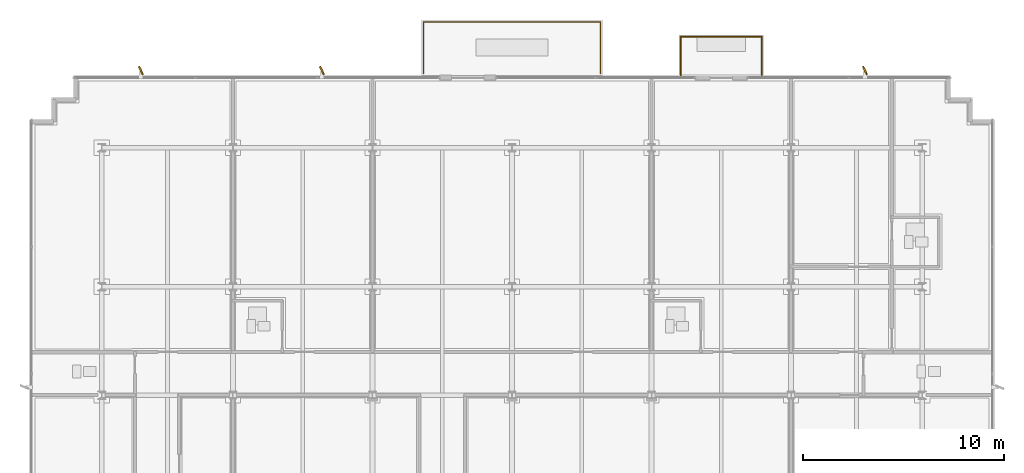
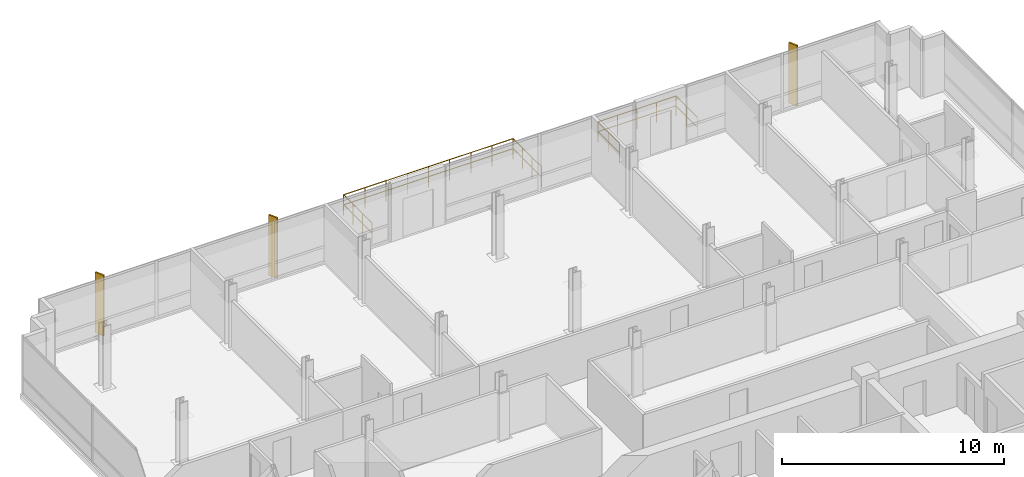
# One storey, part 18 of 19: 6 railings, 3 shading devices.
"""IFC4 building model written with IfcOpenShell, lengths in metres."""

from ifc_helpers import new_model, si_unit, direction, frame, origin, origin_2d, place, context, subcontext, project, spatial, rectangle, circle, extrude, material, layer, layer_set, type_object, element, save


model = new_model("IFC4")

# Units and contexts
model_context = context("Model", 3, precision=1e-05, world=origin(), true_north=direction((0.0, 1.0)))
body_context = subcontext(model_context, "Body", "Model", "MODEL_VIEW")
ifc_project = project(units=[si_unit("LENGTHUNIT", "METRE"), si_unit("AREAUNIT", "SQUARE_METRE"), si_unit("VOLUMEUNIT", "CUBIC_METRE"), si_unit("PLANEANGLEUNIT", "RADIAN"), si_unit("MASSUNIT", "GRAM", prefix="KILO")], contexts=[model_context])

# Site, building, storey
site_placement = place(None, origin())
site = spatial("IfcSite", under=ifc_project, at=site_placement, CompositionType="ELEMENT")
building_placement = place(site_placement, origin())
building = spatial("IfcBuilding", under=site, at=building_placement, Name="Solmavex Isthmus Hotel", CompositionType="ELEMENT")
storey_placement = place(building_placement, frame((0.0, 0.0, 262.64990234375)))
storey = spatial("IfcBuildingStorey", under=building, at=storey_placement, Name="L71", CompositionType="ELEMENT", Elevation=262.64990234375)

# Railings
ifc_material_1 = material(Name="Clear low-E laminated glass", Category="glass")
ifc_layer_1 = layer(ifc_material_1, 0.080078125)
ifc_layer_set_1 = layer_set([ifc_layer_1], Name="Clear low-E laminated glass")
railing_type_1 = type_object("IfcRailingType", Name="RAIL-ATRIUM-1120", PredefinedType="BALUSTRADE", material=ifc_layer_set_1)
railing_1_placement = place(storey_placement, frame((-4.39990234375, 21.40087890625, 0.0)))
element("IfcRailing", 1, at=railing_1_placement, inside=storey, type_object=railing_type_1, Name="Guardrail Balustrade L71-SG1-01", PredefinedType="BALUSTRADE", context=body_context, shape_type="SweptSolid", body=[
    extrude(circle(Radius=0.02392578125, at=origin_2d()), frame((0.0, 0.0, 1.1259765625), z_axis=(0.0, 1.0, 0.0), x_axis=(-1.0, 0.0, 0.0)), (0.0, 0.0, 1.0), 2.549072265625),
    extrude(circle(Radius=0.02392578125, at=origin_2d()), frame((0.0, 0.0, 0.574951171875), z_axis=(0.0, 1.0, 0.0), x_axis=(-1.0, 0.0, 0.0)), (0.0, 0.0, 1.0), 2.549072265625),
    extrude(circle(Radius=0.02099609375, at=origin_2d()), origin(), (0.0, 0.0, 1.0), 1.101806640625),
    extrude(circle(Radius=0.02099609375, at=origin_2d()), frame((0.0, 0.849609375, 0.0)), (0.0, 0.0, 1.0), 1.101806640625),
    extrude(circle(Radius=0.02099609375, at=origin_2d()), frame((0.0, 1.699462890625, 0.0)), (0.0, 0.0, 1.0), 1.101806640625),
    extrude(circle(Radius=0.02099609375, at=origin_2d()), frame((0.0, 2.549072265625, 0.0)), (0.0, 0.0, 1.0), 1.101806640625),
])
railing_2_placement = place(storey_placement, frame((-4.39990234375, 23.949951171875, 0.0)))
element("IfcRailing", 2, at=railing_2_placement, inside=storey, type_object=railing_type_1, Name="Guardrail Balustrade L71-SG1-02", PredefinedType="BALUSTRADE", context=body_context, shape_type="SweptSolid", body=[
    extrude(circle(Radius=0.02392578125, at=origin_2d()), frame((0.0, 0.0, 1.1259765625), z_axis=(1.0, 0.0, 0.0), x_axis=(0.0, 1.0, 0.0)), (0.0, 0.0, 1.0), 8.7998046875),
    extrude(circle(Radius=0.02392578125, at=origin_2d()), frame((0.0, 0.0, 0.574951171875), z_axis=(1.0, 0.0, 0.0), x_axis=(0.0, 1.0, 0.0)), (0.0, 0.0, 1.0), 8.7998046875),
    extrude(circle(Radius=0.02099609375, at=origin_2d()), origin(), (0.0, 0.0, 1.0), 1.101806640625),
    extrude(circle(Radius=0.02099609375, at=origin_2d()), frame((1.10009765625, 0.0, 0.0)), (0.0, 0.0, 1.0), 1.101806640625),
    extrude(circle(Radius=0.02099609375, at=origin_2d()), frame((2.199951171875, 0.0, 0.0)), (0.0, 0.0, 1.0), 1.101806640625),
    extrude(circle(Radius=0.02099609375, at=origin_2d()), frame((3.2998046875, 0.0, 0.0)), (0.0, 0.0, 1.0), 1.101806640625),
    extrude(circle(Radius=0.02099609375, at=origin_2d()), frame((4.39990234375, 0.0, 0.0)), (0.0, 0.0, 1.0), 1.101806640625),
    extrude(circle(Radius=0.02099609375, at=origin_2d()), frame((5.5, 0.0, 0.0)), (0.0, 0.0, 1.0), 1.101806640625),
    extrude(circle(Radius=0.02099609375, at=origin_2d()), frame((6.599853515625, 0.0, 0.0)), (0.0, 0.0, 1.0), 1.101806640625),
    extrude(circle(Radius=0.02099609375, at=origin_2d()), frame((7.69970703125, 0.0, 0.0)), (0.0, 0.0, 1.0), 1.101806640625),
    extrude(circle(Radius=0.02099609375, at=origin_2d()), frame((8.7998046875, 0.0, 0.0)), (0.0, 0.0, 1.0), 1.101806640625),
])
railing_3_placement = place(storey_placement, frame((4.39990234375, 23.949951171875, 0.0)))
element("IfcRailing", 3, at=railing_3_placement, inside=storey, type_object=railing_type_1, Name="Guardrail Balustrade L71-SG1-03", PredefinedType="BALUSTRADE", context=body_context, shape_type="SweptSolid", body=[
    extrude(circle(Radius=0.02392578125, at=origin_2d()), frame((0.0, 0.0, 1.1259765625), z_axis=(0.0, -1.0, 0.0), x_axis=(1.0, 0.0, 0.0)), (0.0, 0.0, 1.0), 2.549072265625),
    extrude(circle(Radius=0.02392578125, at=origin_2d()), frame((0.0, 0.0, 0.574951171875), z_axis=(0.0, -1.0, 0.0), x_axis=(1.0, 0.0, 0.0)), (0.0, 0.0, 1.0), 2.549072265625),
    extrude(circle(Radius=0.02099609375, at=origin_2d()), origin(), (0.0, 0.0, 1.0), 1.101806640625),
    extrude(circle(Radius=0.02099609375, at=origin_2d()), frame((0.0, -0.849609375, 0.0)), (0.0, 0.0, 1.0), 1.101806640625),
    extrude(circle(Radius=0.02099609375, at=origin_2d()), frame((0.0, -1.699462890625, 0.0)), (0.0, 0.0, 1.0), 1.101806640625),
    extrude(circle(Radius=0.02099609375, at=origin_2d()), frame((0.0, -2.549072265625, 0.0)), (0.0, 0.0, 1.0), 1.101806640625),
])
ifc_layer_2 = layer(ifc_material_1, 0.070068359375)
ifc_layer_set_2 = layer_set([ifc_layer_2], Name="Clear low-E laminated glass")
railing_type_2 = type_object("IfcRailingType", Name="RAIL-GUARD-1100", PredefinedType="BALUSTRADE", material=ifc_layer_set_2)
railing_4_placement = place(storey_placement, frame((8.384033203125, 21.300048828125, 0.0)))
element("IfcRailing", 4, at=railing_4_placement, inside=storey, type_object=railing_type_2, Name="Guardrail Balustrade L71-BAL2-01", PredefinedType="BALUSTRADE", context=body_context, shape_type="SweptSolid", body=[
    extrude(circle(Radius=0.02392578125, at=origin_2d()), frame((0.0, 0.0, 1.09619140625), z_axis=(0.0, 1.0, 0.0), x_axis=(-1.0, 0.0, 0.0)), (0.0, 0.0, 1.0), 1.919921875),
    extrude(circle(Radius=0.02392578125, at=origin_2d()), frame((0.0, 0.0, 0.56005859375), z_axis=(0.0, 1.0, 0.0), x_axis=(-1.0, 0.0, 0.0)), (0.0, 0.0, 1.0), 1.919921875),
    extrude(circle(Radius=0.02099609375, at=origin_2d()), origin(), (0.0, 0.0, 1.0), 1.072021484375),
    extrude(circle(Radius=0.02099609375, at=origin_2d()), frame((0.0, 0.9599609375, 0.0)), (0.0, 0.0, 1.0), 1.072021484375),
    extrude(circle(Radius=0.02099609375, at=origin_2d()), frame((0.0, 1.919921875, 0.0)), (0.0, 0.0, 1.0), 1.072021484375),
])
railing_5_placement = place(storey_placement, frame((8.384033203125, 23.219970703125, 0.0)))
element("IfcRailing", 5, at=railing_5_placement, inside=storey, type_object=railing_type_2, Name="Guardrail Balustrade L71-BAL2-02", PredefinedType="BALUSTRADE", context=body_context, shape_type="SweptSolid", body=[
    extrude(circle(Radius=0.02392578125, at=origin_2d()), frame((0.0, 0.0, 1.09619140625), z_axis=(1.0, 0.0, 0.0), x_axis=(0.0, 1.0, 0.0)), (0.0, 0.0, 1.0), 4.0400390625),
    extrude(circle(Radius=0.02392578125, at=origin_2d()), frame((0.0, 0.0, 0.56005859375), z_axis=(1.0, 0.0, 0.0), x_axis=(0.0, 1.0, 0.0)), (0.0, 0.0, 1.0), 4.0400390625),
    extrude(circle(Radius=0.02099609375, at=origin_2d()), origin(), (0.0, 0.0, 1.0), 1.072021484375),
    extrude(circle(Radius=0.02099609375, at=origin_2d()), frame((1.010009765625, 0.0, 0.0)), (0.0, 0.0, 1.0), 1.072021484375),
    extrude(circle(Radius=0.02099609375, at=origin_2d()), frame((2.02001953125, 0.0, 0.0)), (0.0, 0.0, 1.0), 1.072021484375),
    extrude(circle(Radius=0.02099609375, at=origin_2d()), frame((3.030029296875, 0.0, 0.0)), (0.0, 0.0, 1.0), 1.072021484375),
    extrude(circle(Radius=0.02099609375, at=origin_2d()), frame((4.0400390625, 0.0, 0.0)), (0.0, 0.0, 1.0), 1.072021484375),
])
railing_6_placement = place(storey_placement, frame((12.424072265625, 23.219970703125, 0.0)))
element("IfcRailing", 6, at=railing_6_placement, inside=storey, type_object=railing_type_2, Name="Guardrail Balustrade L71-BAL2-03", PredefinedType="BALUSTRADE", context=body_context, shape_type="SweptSolid", body=[
    extrude(circle(Radius=0.02392578125, at=origin_2d()), frame((0.0, 0.0, 1.09619140625), z_axis=(0.0, -1.0, 0.0), x_axis=(1.0, 0.0, 0.0)), (0.0, 0.0, 1.0), 1.919921875),
    extrude(circle(Radius=0.02392578125, at=origin_2d()), frame((0.0, 0.0, 0.56005859375), z_axis=(0.0, -1.0, 0.0), x_axis=(1.0, 0.0, 0.0)), (0.0, 0.0, 1.0), 1.919921875),
    extrude(circle(Radius=0.02099609375, at=origin_2d()), origin(), (0.0, 0.0, 1.0), 1.072021484375),
    extrude(circle(Radius=0.02099609375, at=origin_2d()), frame((0.0, -0.9599609375, 0.0)), (0.0, 0.0, 1.0), 1.072021484375),
    extrude(circle(Radius=0.02099609375, at=origin_2d()), frame((0.0, -1.919921875, 0.0)), (0.0, 0.0, 1.0), 1.072021484375),
])

# Shading devices
ifc_material_2 = material(Name="Aluminium alloy 6063-T6", Category="aluminium")
shading_device_type = type_object("IfcShadingDeviceType", Name="SHD-FIN-BRONZE", PredefinedType="USERDEFINED", material=ifc_material_2)
for number, where, z_axis, x_axis, name in (
    (7, (-18.449951171875, 21.5400390625, -0.139892578125), (0.0, 0.0, 1.0), (-0.438371146789, 0.898794046299, 0.0), "Anodised Aluminium Solar Fin L71-N1"),
    (8, (-9.449951171875, 21.5400390625, -0.139892578125), (0.0, 0.0, 1.0), (-0.438371146789, 0.898794046299, 0.0), "Anodised Aluminium Solar Fin L71-N2"),
    (9, (17.550048828125, 21.5400390625, -0.139892578125), (0.0, 0.0, 1.0), (-0.438371146789, 0.898794046299, 0.0), "Anodised Aluminium Solar Fin L71-N3"),
):
    element("IfcShadingDevice", number, at=place(storey_placement, frame(where, z_axis=z_axis, x_axis=x_axis)), inside=storey, type_object=shading_device_type, Name=name, ObjectType="SOLAR_FIN", PredefinedType="USERDEFINED", context=body_context, shape_type="SweptSolid", body=[
        extrude(rectangle(XDim=0.449951171875, YDim=0.080078125, at=origin_2d()), origin(), (0.0, 0.0, 1.0), 3.330078125),
    ])

save(model, "model.ifc")
